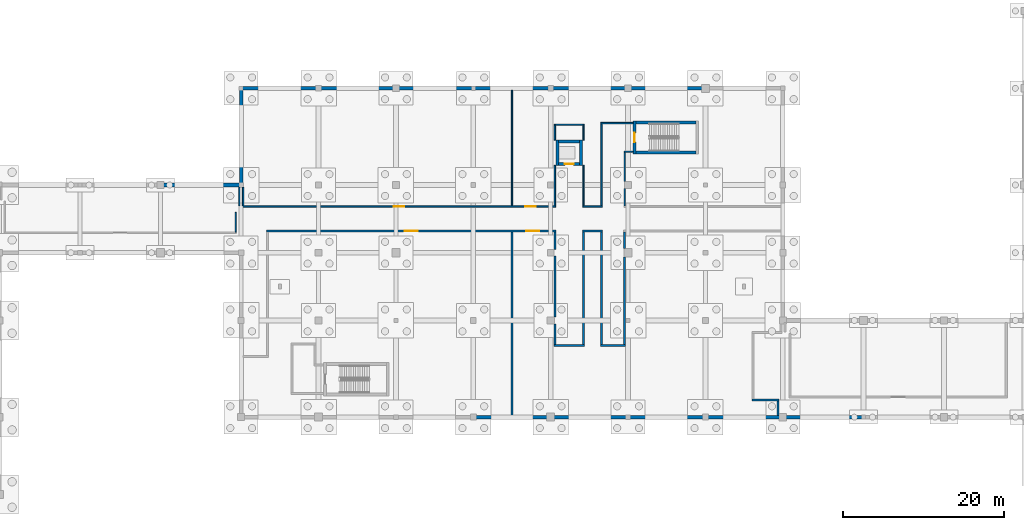
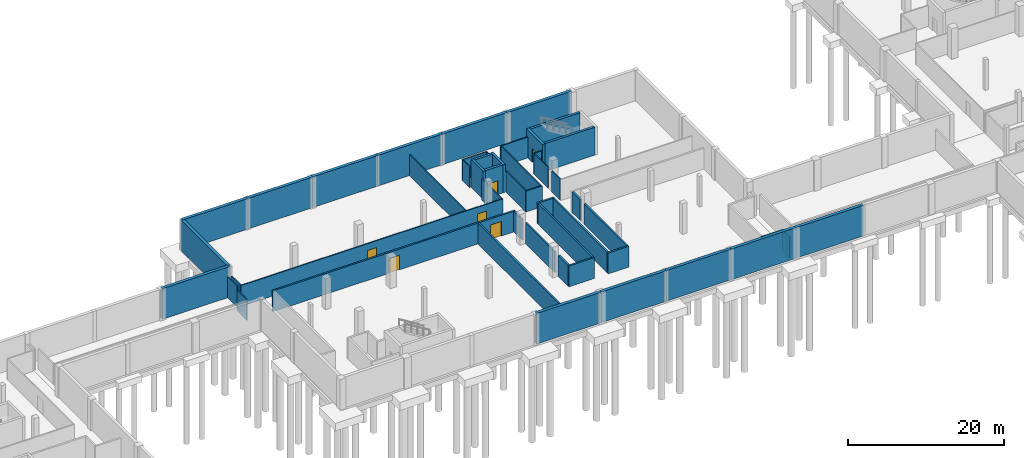
# One storey, part 14 of 28: 50 walls, 6 doors, 6 openings.
"""IFC4 building model written with IfcOpenShell, lengths in metres."""

from ifc_helpers import new_model, si_unit, direction, frame, frame_2d, origin, place, context, subcontext, project, spatial, rectangle, extrude, material, layer, layer_set, type_object, element, fill, save


model = new_model("IFC4")

# Units and contexts
model_context = context("Model", 3, precision=1e-05, world=origin(), true_north=direction((0.0, 1.0)))
body_context = subcontext(model_context, "Body", "Model", "MODEL_VIEW")
ifc_project = project(units=[si_unit("LENGTHUNIT", "METRE"), si_unit("AREAUNIT", "SQUARE_METRE"), si_unit("VOLUMEUNIT", "CUBIC_METRE"), si_unit("PLANEANGLEUNIT", "RADIAN"), si_unit("MASSUNIT", "GRAM", prefix="KILO")], contexts=[model_context])

# Site, building, storey
site_placement = place(None, origin())
site = spatial("IfcSite", under=ifc_project, at=site_placement, CompositionType="ELEMENT")
building_placement = place(site_placement, origin())
building = spatial("IfcBuilding", under=site, at=building_placement, Name="Zereglee Splitstone Museum", CompositionType="ELEMENT")
storey_placement = place(building_placement, frame((0.0, 0.0, -4.800048828125)))
storey = spatial("IfcBuildingStorey", under=building, at=storey_placement, Name="B1", CompositionType="ELEMENT", Elevation=-4.800048828125)

# Walls
ifc_material_1 = material(Name="Concrete C40/50", Category="concrete")
ifc_layer_1 = layer(ifc_material_1, 0.449951171875)
ifc_layer_set_1 = layer_set([ifc_layer_1], Name="Concrete C40/50")
wall_type_1 = type_object("IfcWallType", Name="ESW-01", PredefinedType="SHEAR", material=ifc_layer_set_1)
for number, where, z_axis, x_axis, name in (
    (1, (135.60009765625, 50.39990234375, 0.0), (0.0, 0.0, 1.0), (-1.0, 0.0, 0.0), "Basement Perimeter Retaining Wall B1-066"),
    (2, (126.0, 50.39990234375, 0.0), (0.0, 0.0, 1.0), (-1.0, 0.0, 0.0), "Basement Perimeter Retaining Wall B1-067"),
):
    element("IfcWall", number, at=place(storey_placement, frame(where, z_axis=z_axis, x_axis=x_axis)), inside=storey, type_object=wall_type_1, Name=name, PredefinedType="SHEAR", context=body_context, shape_type="SweptSolid", body=[
        extrude(rectangle(XDim=9.60009765625, YDim=0.449951171875, at=frame_2d((4.800048828125, 0.0))), origin(), (0.0, 0.0, 1.0), 4.800048828125),
    ])
wall_1_placement = place(storey_placement, frame((116.39990234375, 50.39990234375, 0.0), z_axis=(0.0, 0.0, 1.0), x_axis=(-1.0, 0.0, 0.0)))
element("IfcWall", 3, at=wall_1_placement, inside=storey, type_object=wall_type_1, Name="Basement Perimeter Retaining Wall B1-068", PredefinedType="SHEAR", context=body_context, shape_type="SweptSolid", body=[
    extrude(rectangle(XDim=9.599853515625, YDim=0.449951171875, at=frame_2d((4.7998046875, 0.0))), origin(), (0.0, 0.0, 1.0), 4.800048828125),
])
wall_2_placement = place(storey_placement, frame((106.800048828125, 50.39990234375, 0.0), z_axis=(0.0, 0.0, 1.0), x_axis=(-1.0, 0.0, 0.0)))
element("IfcWall", 4, at=wall_2_placement, inside=storey, type_object=wall_type_1, Name="Basement Perimeter Retaining Wall B1-069", PredefinedType="SHEAR", context=body_context, shape_type="SweptSolid", body=[
    extrude(rectangle(XDim=9.60009765625, YDim=0.449951171875, at=frame_2d((4.800048828125, 0.0))), origin(), (0.0, 0.0, 1.0), 4.800048828125),
])
wall_3_placement = place(storey_placement, frame((97.199951171875, 50.39990234375, 0.0), z_axis=(0.0, 0.0, 1.0), x_axis=(-1.0, 0.0, 0.0)))
element("IfcWall", 5, at=wall_3_placement, inside=storey, type_object=wall_type_1, Name="Basement Perimeter Retaining Wall B1-070", PredefinedType="SHEAR", context=body_context, shape_type="SweptSolid", body=[
    extrude(rectangle(XDim=9.599853515625, YDim=0.449951171875, at=frame_2d((4.7998046875, 0.0))), origin(), (0.0, 0.0, 1.0), 4.800048828125),
])
wall_4_placement = place(storey_placement, frame((87.60009765625, 50.39990234375, 0.0), z_axis=(0.0, 0.0, 1.0), x_axis=(-1.0, 0.0, 0.0)))
element("IfcWall", 6, at=wall_4_placement, inside=storey, type_object=wall_type_1, Name="Basement Perimeter Retaining Wall B1-071", PredefinedType="SHEAR", context=body_context, shape_type="SweptSolid", body=[
    extrude(rectangle(XDim=9.60009765625, YDim=0.449951171875, at=frame_2d((4.800048828125, 0.0))), origin(), (0.0, 0.0, 1.0), 4.800048828125),
])
wall_5_placement = place(storey_placement, frame((78.0, 50.39990234375, 0.0), z_axis=(0.0, 0.0, 1.0), x_axis=(0.0, -1.0, 0.0)))
element("IfcWall", 7, at=wall_5_placement, inside=storey, type_object=wall_type_1, Name="Basement Perimeter Retaining Wall B1-072", PredefinedType="SHEAR", context=body_context, shape_type="SweptSolid", body=[
    extrude(rectangle(XDim=12.0, YDim=0.449951171875, at=frame_2d((6.0, 0.0))), origin(), (0.0, 0.0, 1.0), 4.800048828125),
])
wall_6_placement = place(storey_placement, frame((78.0, 38.39990234375, 0.0), z_axis=(0.0, 0.0, 1.0), x_axis=(-1.0, 0.0, 0.0)))
element("IfcWall", 8, at=wall_6_placement, inside=storey, type_object=wall_type_1, Name="Basement Perimeter Retaining Wall B1-073", PredefinedType="SHEAR", context=body_context, shape_type="SweptSolid", body=[
    extrude(rectangle(XDim=10.0, YDim=0.449951171875, at=frame_2d((5.0, 0.0))), origin(), (0.0, 0.0, 1.0), 4.800048828125),
])
wall_7_placement = place(storey_placement, frame((106.800048828125, 9.60009765625, 0.0), z_axis=(0.0, 0.0, 1.0), x_axis=(1.0, 0.0, 0.0)))
element("IfcWall", 9, at=wall_7_placement, inside=storey, type_object=wall_type_1, Name="Basement Perimeter Retaining Wall B1-101", PredefinedType="SHEAR", context=body_context, shape_type="SweptSolid", body=[
    extrude(rectangle(XDim=9.599853515625, YDim=0.449951171875, at=frame_2d((4.7998046875, 0.0))), origin(), (0.0, 0.0, 1.0), 4.800048828125),
])
for number, where, z_axis, x_axis, name in (
    (10, (116.39990234375, 9.60009765625, 0.0), (0.0, 0.0, 1.0), (1.0, 0.0, 0.0), "Basement Perimeter Retaining Wall B1-102"),
    (11, (126.0, 9.60009765625, 0.0), (0.0, 0.0, 1.0), (1.0, 0.0, 0.0), "Basement Perimeter Retaining Wall B1-103"),
):
    element("IfcWall", number, at=place(storey_placement, frame(where, z_axis=z_axis, x_axis=x_axis)), inside=storey, type_object=wall_type_1, Name=name, PredefinedType="SHEAR", context=body_context, shape_type="SweptSolid", body=[
        extrude(rectangle(XDim=9.60009765625, YDim=0.449951171875, at=frame_2d((4.800048828125, 0.0))), origin(), (0.0, 0.0, 1.0), 4.800048828125),
    ])
wall_8_placement = place(storey_placement, frame((135.60009765625, 9.60009765625, 0.0), z_axis=(0.0, 0.0, 1.0), x_axis=(1.0, 0.0, 0.0)))
element("IfcWall", 12, at=wall_8_placement, inside=storey, type_object=wall_type_1, Name="Basement Perimeter Retaining Wall B1-104", PredefinedType="SHEAR", context=body_context, shape_type="SweptSolid", body=[
    extrude(rectangle(XDim=9.599853515625, YDim=0.449951171875, at=frame_2d((4.7998046875, 0.0))), origin(), (0.0, 0.0, 1.0), 4.800048828125),
])
wall_9_placement = place(storey_placement, frame((145.199951171875, 9.60009765625, 0.0), z_axis=(0.0, 0.0, 1.0), x_axis=(1.0, 0.0, 0.0)))
element("IfcWall", 13, at=wall_9_placement, inside=storey, type_object=wall_type_1, Name="Basement Perimeter Retaining Wall B1-105", PredefinedType="SHEAR", context=body_context, shape_type="SweptSolid", body=[
    extrude(rectangle(XDim=10.0, YDim=0.449951171875, at=frame_2d((5.0, 0.0))), origin(), (0.0, 0.0, 1.0), 4.800048828125),
])

# Wall, opening, door
ifc_material_2 = material(Name="Concrete C45/55", Category="concrete")
ifc_layer_2 = layer(ifc_material_2, 0.360107421875)
ifc_layer_set_2 = layer_set([ifc_layer_2], Name="Concrete C45/55")
wall_type_2 = type_object("IfcWallType", Name="CSW-02", PredefinedType="SHEAR", material=ifc_layer_set_2)
wall_10_placement = place(storey_placement, frame((126.820068359375, 42.239990234375, 0.0), z_axis=(0.0, 0.0, 1.0), x_axis=(0.0, 1.0, 0.0)))
wall_10 = element("IfcWall", 14, at=wall_10_placement, inside=storey, type_object=wall_type_2, Name="Stair Core Shear Wall ST-03 B1 West", PredefinedType="SHEAR", context=body_context, shape_type="SweptSolid", body=[
    extrude(rectangle(XDim=4.1201171875, YDim=0.360107421875, at=frame_2d((2.06005859375, 0.0))), origin(), (0.0, 0.0, 1.0), 4.380126953125),
])
opening_1_placement = place(wall_10_placement, frame((1.485107421875, 0.0, 0.0)))
opening_1 = element("IfcOpeningElement", 15, at=opening_1_placement, cuts=wall_10, Name="Opening ID-03", PredefinedType="OPENING", context=body_context, shape_type="SweptSolid", body=[
    extrude(rectangle(XDim=1.14990234375, YDim=2.14990234375, at=frame_2d((0.574951171875, 1.074951171875))), frame((0.0, 0.19482421875, 0.0), z_axis=(0.0, -1.0, 0.0), x_axis=(1.0, 0.0, 0.0)), (0.0, 0.0, 1.0), 0.389892578125),
])
ifc_material_3 = material(Name="Fire-rated steel and Siberian larch leaf", Category="steel")
door_type_1 = type_object("IfcDoorType", Name="ID-03", OperationType="NOTDEFINED", PredefinedType="DOOR", material=ifc_material_3)
door_1_placement = place(opening_1_placement, origin())
door_1 = element("IfcDoor", 16, at=door_1_placement, inside=storey, type_object=door_type_1, Name="Protected Stair Fire Door ST-03 B1", OperationType="SINGLE_SWING_LEFT", OverallHeight=2.14990234375, OverallWidth=1.14990234375, PredefinedType="DOOR", context=body_context, shape_type="SweptSolid", body=[
    extrude(rectangle(XDim=1.14990234375, YDim=2.14990234375, at=frame_2d((0.574951171875, 1.074951171875))), frame((0.0, 0.02490234375, 0.0), z_axis=(0.0, -1.0, 0.0), x_axis=(1.0, 0.0, 0.0)), (0.0, 0.0, 1.0), 0.050048828125),
])
fill(opening_1, door_1)

# Walls
for number, where, z_axis, x_axis, name in (
    (17, (127.0, 46.179931640625, 0.0), (0.0, 0.0, 1.0), (1.0, 0.0, 0.0), "Stair Core Shear Wall ST-03 B1 North"),
    (18, (127.0, 42.419921875, 0.0), (0.0, 0.0, 1.0), (1.0, 0.0, 0.0), "Stair Core Shear Wall ST-03 B1 South"),
):
    element("IfcWall", number, at=place(storey_placement, frame(where, z_axis=z_axis, x_axis=x_axis)), inside=storey, type_object=wall_type_2, Name=name, PredefinedType="SHEAR", context=body_context, shape_type="SweptSolid", body=[
        extrude(rectangle(XDim=7.39990234375, YDim=0.360107421875, at=frame_2d((3.699951171875, 0.0))), origin(), (0.0, 0.0, 1.0), 4.380126953125),
    ])
wall_11_placement = place(storey_placement, frame((117.39990234375, 43.780029296875, 0.0), z_axis=(0.0, 0.0, 1.0), x_axis=(1.0, 0.0, 0.0)))
element("IfcWall", 19, at=wall_11_placement, inside=storey, type_object=wall_type_2, Name="Lift Shaft Wall PL-02 B1 North", PredefinedType="SHEAR", context=body_context, shape_type="SweptSolid", body=[
    extrude(rectangle(XDim=2.60009765625, YDim=0.360107421875, at=frame_2d((1.300048828125, 0.0))), origin(), (0.0, 0.0, 1.0), 4.380126953125),
])

# Wall, opening, door
wall_12_placement = place(storey_placement, frame((117.39990234375, 41.02001953125, 0.0), z_axis=(0.0, 0.0, 1.0), x_axis=(1.0, 0.0, 0.0)))
wall_12 = element("IfcWall", 20, at=wall_12_placement, inside=storey, type_object=wall_type_2, Name="Lift Shaft Wall PL-02 B1 South", PredefinedType="SHEAR", context=body_context, shape_type="SweptSolid", body=[
    extrude(rectangle(XDim=2.60009765625, YDim=0.360107421875, at=frame_2d((1.300048828125, 0.0))), origin(), (0.0, 0.0, 1.0), 4.380126953125),
])
opening_2_placement = place(wall_12_placement, frame((0.75, 0.0, 0.0)))
opening_2 = element("IfcOpeningElement", 21, at=opening_2_placement, cuts=wall_12, Name="Opening LD-01", PredefinedType="OPENING", context=body_context, shape_type="SweptSolid", body=[
    extrude(rectangle(XDim=1.10009765625, YDim=2.14990234375, at=frame_2d((0.550048828125, 1.074951171875))), frame((0.0, 0.19482421875, 0.0), z_axis=(0.0, -1.0, 0.0), x_axis=(1.0, 0.0, 0.0)), (0.0, 0.0, 1.0), 0.389892578125),
])
door_type_2 = type_object("IfcDoorType", Name="LD-01", OperationType="DOUBLE_DOOR_SLIDING", PredefinedType="DOOR", material=ifc_material_3)
door_2_placement = place(opening_2_placement, origin())
door_2 = element("IfcDoor", 22, at=door_2_placement, inside=storey, type_object=door_type_2, Name="Lift Landing Sliding Door PL-02 B1", OperationType="DOUBLE_DOOR_SLIDING", OverallHeight=2.14990234375, OverallWidth=1.10009765625, PredefinedType="DOOR", context=body_context, shape_type="SweptSolid", body=[
    extrude(rectangle(XDim=1.10009765625, YDim=2.14990234375, at=frame_2d((0.550048828125, 1.074951171875))), frame((0.0, 0.02490234375, 0.0), z_axis=(0.0, -1.0, 0.0), x_axis=(1.0, 0.0, 0.0)), (0.0, 0.0, 1.0), 0.050048828125),
])
fill(opening_2, door_2)

# Walls
for number, where, z_axis, x_axis, name in (
    (23, (117.219970703125, 40.840087890625, 0.0), (0.0, 0.0, 1.0), (0.0, 1.0, 0.0), "Lift Shaft Wall PL-02 B1 West"),
    (24, (120.179931640625, 40.840087890625, 0.0), (0.0, 0.0, 1.0), (0.0, 1.0, 0.0), "Lift Shaft Wall PL-02 B1 East"),
):
    element("IfcWall", number, at=place(storey_placement, frame(where, z_axis=z_axis, x_axis=x_axis)), inside=storey, type_object=wall_type_2, Name=name, PredefinedType="SHEAR", context=body_context, shape_type="SweptSolid", body=[
        extrude(rectangle(XDim=3.119873046875, YDim=0.360107421875, at=frame_2d((1.56005859375, 0.0))), origin(), (0.0, 0.0, 1.0), 4.380126953125),
    ])
ifc_layer_3 = layer(ifc_material_1, 0.25)
ifc_layer_set_3 = layer_set([ifc_layer_3], Name="Concrete C40/50")
wall_type_3 = type_object("IfcWallType", Name="IW-03", PredefinedType="PARTITIONING", material=ifc_layer_set_3)
wall_13_placement = place(storey_placement, frame((141.39501953125, 11.719970703125, 0.0), z_axis=(0.0, 0.0, 1.0), x_axis=(1.0, 0.0, 0.0)))
element("IfcWall", 25, at=wall_13_placement, inside=storey, type_object=wall_type_3, Name="Interior Partition B1-0008 (Microclimate Specimen Vault)", PredefinedType="PARTITIONING", context=body_context, shape_type="SweptSolid", body=[
    extrude(rectangle(XDim=3.35009765625, YDim=0.25, at=frame_2d((1.675048828125, 0.0))), origin(), (0.0, 0.0, 1.0), 3.260009765625),
])
wall_14_placement = place(storey_placement, frame((116.794921875, 18.52001953125, 0.0), z_axis=(0.0, 0.0, 1.0), x_axis=(1.0, 0.0, 0.0)))
element("IfcWall", 26, at=wall_14_placement, inside=storey, type_object=wall_type_3, Name="Interior Partition B1-0027 (Microclimate Specimen Vault)", PredefinedType="PARTITIONING", context=body_context, shape_type="SweptSolid", body=[
    extrude(rectangle(XDim=3.81005859375, YDim=0.25, at=frame_2d((1.905029296875, 0.0))), origin(), (0.0, 0.0, 1.0), 3.260009765625),
])
wall_15_placement = place(storey_placement, frame((122.594970703125, 18.52001953125, 0.0), z_axis=(0.0, 0.0, 1.0), x_axis=(1.0, 0.0, 0.0)))
element("IfcWall", 27, at=wall_15_placement, inside=storey, type_object=wall_type_3, Name="Interior Partition B1-0028 (Microclimate Specimen Vault)", PredefinedType="PARTITIONING", context=body_context, shape_type="SweptSolid", body=[
    extrude(rectangle(XDim=3.110107421875, YDim=0.25, at=frame_2d((1.55517578125, 0.0))), origin(), (0.0, 0.0, 1.0), 3.260009765625),
])

# Wall, openings, doors
wall_16_placement = place(storey_placement, frame((81.155029296875, 32.679931640625, 0.0), z_axis=(0.0, 0.0, 1.0), x_axis=(1.0, 0.0, 0.0)))
wall_16 = element("IfcWall", 28, at=wall_16_placement, inside=storey, type_object=wall_type_3, Name="Interior Partition B1-0049 (Mineralogy Collection Archive)", PredefinedType="PARTITIONING", context=body_context, shape_type="SweptSolid", body=[
    extrude(rectangle(XDim=35.889892578125, YDim=0.25, at=frame_2d((17.94482421875, 0.0))), origin(), (0.0, 0.0, 1.0), 3.260009765625),
])
opening_3_placement = place(wall_16_placement, frame((17.14501953125, 0.0, 0.0)))
opening_3 = element("IfcOpeningElement", 29, at=opening_3_placement, cuts=wall_16, Name="Opening ID-05", PredefinedType="OPENING", context=body_context, shape_type="SweptSolid", body=[
    extrude(rectangle(XDim=1.60009765625, YDim=2.300048828125, at=frame_2d((0.800048828125, 1.14990234375))), frame((0.0, 0.139892578125, 0.0), z_axis=(0.0, -1.0, 0.0), x_axis=(1.0, 0.0, 0.0)), (0.0, 0.0, 1.0), 0.27978515625),
])
opening_4_placement = place(wall_16_placement, frame((32.21875, 0.0, 0.0)))
opening_4 = element("IfcOpeningElement", 30, at=opening_4_placement, cuts=wall_16, Name="Opening ID-05", PredefinedType="OPENING", context=body_context, shape_type="SweptSolid", body=[
    extrude(rectangle(XDim=1.60009765625, YDim=2.300048828125, at=frame_2d((0.800048828125, 1.14990234375))), frame((0.0, 0.139892578125, 0.0), z_axis=(0.0, -1.0, 0.0), x_axis=(1.0, 0.0, 0.0)), (0.0, 0.0, 1.0), 0.27978515625),
])
door_type_3 = type_object("IfcDoorType", Name="ID-05", OperationType="NOTDEFINED", PredefinedType="DOOR", material=ifc_material_3)
door_3_placement = place(opening_3_placement, frame((1.60009765625, 0.0, 0.0), z_axis=(0.0, 0.0, 1.0), x_axis=(-1.0, 0.0, 0.0)))
door_3 = element("IfcDoor", 31, at=door_3_placement, inside=storey, type_object=door_type_3, Name="Interior Door B1-0007 (Mineralogy Collection Archive)", OperationType="DOUBLE_DOOR_SINGLE_SWING", OverallHeight=2.300048828125, OverallWidth=1.60009765625, PredefinedType="DOOR", context=body_context, shape_type="SweptSolid", body=[
    extrude(rectangle(XDim=1.60009765625, YDim=2.300048828125, at=frame_2d((0.800048828125, 1.14990234375))), frame((0.0, 0.02490234375, 0.0), z_axis=(0.0, -1.0, 0.0), x_axis=(1.0, 0.0, 0.0)), (0.0, 0.0, 1.0), 0.050048828125),
])
fill(opening_3, door_3)
door_4_placement = place(opening_4_placement, frame((1.60009765625, 0.0, 0.0), z_axis=(0.0, 0.0, 1.0), x_axis=(-1.0, 0.0, 0.0)))
door_4 = element("IfcDoor", 32, at=door_4_placement, inside=storey, type_object=door_type_3, Name="Interior Door B1-0008 (Microclimate Specimen Vault)", OperationType="DOUBLE_DOOR_SINGLE_SWING", OverallHeight=2.300048828125, OverallWidth=1.60009765625, PredefinedType="DOOR", context=body_context, shape_type="SweptSolid", body=[
    extrude(rectangle(XDim=1.60009765625, YDim=2.300048828125, at=frame_2d((0.800048828125, 1.14990234375))), frame((0.0, 0.02490234375, 0.0), z_axis=(0.0, -1.0, 0.0), x_axis=(1.0, 0.0, 0.0)), (0.0, 0.0, 1.0), 0.050048828125),
])
fill(opening_4, door_4)

# Walls
wall_17_placement = place(storey_placement, frame((120.35498046875, 32.679931640625, 0.0), z_axis=(0.0, 0.0, 1.0), x_axis=(1.0, 0.0, 0.0)))
element("IfcWall", 33, at=wall_17_placement, inside=storey, type_object=wall_type_3, Name="Interior Partition B1-0050 (Microclimate Specimen Vault)", PredefinedType="PARTITIONING", context=body_context, shape_type="SweptSolid", body=[
    extrude(rectangle(XDim=2.489990234375, YDim=0.25, at=frame_2d((1.2451171875, 0.0))), origin(), (0.0, 0.0, 1.0), 3.260009765625),
])
wall_18_placement = place(storey_placement, frame((111.60009765625, 9.824951171875, 0.0), z_axis=(0.0, 0.0, 1.0), x_axis=(0.0, 1.0, 0.0)))
element("IfcWall", 34, at=wall_18_placement, inside=storey, type_object=wall_type_3, Name="Interior Partition B1-0096 (Mineralogy Collection Archive)", PredefinedType="PARTITIONING", context=body_context, shape_type="SweptSolid", body=[
    extrude(rectangle(XDim=22.72998046875, YDim=0.25, at=frame_2d((11.364990234375, 0.0))), origin(), (0.0, 0.0, 1.0), 3.260009765625),
])
wall_19_placement = place(storey_placement, frame((116.919921875, 18.64501953125, 0.0), z_axis=(0.0, 0.0, 1.0), x_axis=(0.0, 1.0, 0.0)))
element("IfcWall", 35, at=wall_19_placement, inside=storey, type_object=wall_type_3, Name="Interior Partition B1-0098 (Microclimate Specimen Vault)", PredefinedType="PARTITIONING", context=body_context, shape_type="SweptSolid", body=[
    extrude(rectangle(XDim=2.5048828125, YDim=0.25, at=frame_2d((1.25244140625, 0.0))), origin(), (0.0, 0.0, 1.0), 3.260009765625),
])
wall_20_placement = place(storey_placement, frame((116.919921875, 22.050048828125, 0.0), z_axis=(0.0, 0.0, 1.0), x_axis=(0.0, 1.0, 0.0)))
element("IfcWall", 36, at=wall_20_placement, inside=storey, type_object=wall_type_3, Name="Interior Partition B1-0099 (Microclimate Specimen Vault)", PredefinedType="PARTITIONING", context=body_context, shape_type="SweptSolid", body=[
    extrude(rectangle(XDim=7.52490234375, YDim=0.25, at=frame_2d((3.762451171875, 0.0))), origin(), (0.0, 0.0, 1.0), 3.260009765625),
])
wall_21_placement = place(storey_placement, frame((116.919921875, 30.425048828125, 0.0), z_axis=(0.0, 0.0, 1.0), x_axis=(0.0, 1.0, 0.0)))
element("IfcWall", 37, at=wall_21_placement, inside=storey, type_object=wall_type_3, Name="Interior Partition B1-0100 (Microclimate Specimen Vault)", PredefinedType="PARTITIONING", context=body_context, shape_type="SweptSolid", body=[
    extrude(rectangle(XDim=2.1298828125, YDim=0.25, at=frame_2d((1.06494140625, 0.0))), origin(), (0.0, 0.0, 1.0), 3.260009765625),
])
for number, where, z_axis, x_axis, name in (
    (38, (120.47998046875, 18.64501953125, 0.0), (0.0, 0.0, 1.0), (0.0, 1.0, 0.0), "Interior Partition B1-0103 (Microclimate Specimen Vault)"),
    (39, (122.719970703125, 18.64501953125, 0.0), (0.0, 0.0, 1.0), (0.0, 1.0, 0.0), "Interior Partition B1-0106 (Microclimate Specimen Vault)"),
):
    element("IfcWall", number, at=place(storey_placement, frame(where, z_axis=z_axis, x_axis=x_axis)), inside=storey, type_object=wall_type_3, Name=name, PredefinedType="PARTITIONING", context=body_context, shape_type="SweptSolid", body=[
        extrude(rectangle(XDim=13.909912109375, YDim=0.25, at=frame_2d((6.955078125, 0.0))), origin(), (0.0, 0.0, 1.0), 3.260009765625),
    ])
wall_22_placement = place(storey_placement, frame((125.580078125, 18.64501953125, 0.0), z_axis=(0.0, 0.0, 1.0), x_axis=(0.0, 1.0, 0.0)))
element("IfcWall", 40, at=wall_22_placement, inside=storey, type_object=wall_type_3, Name="Interior Partition B1-0108 (Microclimate Specimen Vault)", PredefinedType="PARTITIONING", context=body_context, shape_type="SweptSolid", body=[
    extrude(rectangle(XDim=10.85498046875, YDim=0.25, at=frame_2d((5.427490234375, 0.0))), origin(), (0.0, 0.0, 1.0), 3.260009765625),
])
wall_23_placement = place(storey_placement, frame((125.580078125, 30.5, 0.0), z_axis=(0.0, 0.0, 1.0), x_axis=(0.0, 1.0, 0.0)))
element("IfcWall", 41, at=wall_23_placement, inside=storey, type_object=wall_type_3, Name="Interior Partition B1-0109 (Microclimate Specimen Vault)", PredefinedType="PARTITIONING", context=body_context, shape_type="SweptSolid", body=[
    extrude(rectangle(XDim=2.054931640625, YDim=0.25, at=frame_2d((1.02734375, 0.0))), origin(), (0.0, 0.0, 1.0), 3.260009765625),
])
wall_24_placement = place(storey_placement, frame((144.6201171875, 9.824951171875, 0.0), z_axis=(0.0, 0.0, 1.0), x_axis=(0.0, 1.0, 0.0)))
element("IfcWall", 42, at=wall_24_placement, inside=storey, type_object=wall_type_3, Name="Interior Partition B1-0113 (Microclimate Specimen Vault)", PredefinedType="PARTITIONING", context=body_context, shape_type="SweptSolid", body=[
    extrude(rectangle(XDim=1.77001953125, YDim=0.25, at=frame_2d((0.885009765625, 0.0))), origin(), (0.0, 0.0, 1.0), 3.260009765625),
])

# Wall, openings, doors
ifc_material_4 = material(Name="Fire-rated gypsum board partition", Category="masonry")
ifc_layer_4 = layer(ifc_material_4, 0.159912109375)
ifc_layer_set_4 = layer_set([ifc_layer_4], Name="Fire-rated gypsum board partition")
wall_type_4 = type_object("IfcWallType", Name="IW-04", PredefinedType="PARTITIONING", material=ifc_layer_set_4)
wall_25_placement = place(storey_placement, frame((78.159912109375, 35.719970703125, 0.0), z_axis=(0.0, 0.0, 1.0), x_axis=(1.0, 0.0, 0.0)))
wall_25 = element("IfcWall", 43, at=wall_25_placement, inside=storey, type_object=wall_type_4, Name="Interior Partition B1-0055 (Mechanical Environmental Plant Room)", PredefinedType="PARTITIONING", context=body_context, shape_type="SweptSolid", body=[
    extrude(rectangle(XDim=38.840087890625, YDim=0.159912109375, at=frame_2d((19.419921875, 0.0))), origin(), (0.0, 0.0, 1.0), 3.260009765625),
])
opening_5_placement = place(wall_25_placement, frame((18.7451171875, 0.0, 0.0)))
opening_5 = element("IfcOpeningElement", 44, at=opening_5_placement, cuts=wall_25, Name="Opening ID-08", PredefinedType="OPENING", context=body_context, shape_type="SweptSolid", body=[
    extrude(rectangle(XDim=1.35009765625, YDim=2.199951171875, at=frame_2d((0.675048828125, 1.10009765625))), frame((0.0, 0.0947265625, 0.0), z_axis=(0.0, -1.0, 0.0), x_axis=(1.0, 0.0, 0.0)), (0.0, 0.0, 1.0), 0.189697265625),
])
opening_6_placement = place(wall_25_placement, frame((35.057861328125, 0.0, 0.0)))
opening_6 = element("IfcOpeningElement", 45, at=opening_6_placement, cuts=wall_25, Name="Opening ID-08", PredefinedType="OPENING", context=body_context, shape_type="SweptSolid", body=[
    extrude(rectangle(XDim=1.35009765625, YDim=2.199951171875, at=frame_2d((0.675048828125, 1.10009765625))), frame((0.0, 0.0947265625, 0.0), z_axis=(0.0, -1.0, 0.0), x_axis=(1.0, 0.0, 0.0)), (0.0, 0.0, 1.0), 0.189697265625),
])
door_type_4 = type_object("IfcDoorType", Name="ID-08", OperationType="NOTDEFINED", PredefinedType="DOOR", material=ifc_material_3)
door_5_placement = place(opening_5_placement, origin())
door_5 = element("IfcDoor", 46, at=door_5_placement, inside=storey, type_object=door_type_4, Name="Interior Door B1-0009 (Mechanical Environmental Plant Room)", OperationType="SINGLE_SWING_RIGHT", OverallHeight=2.199951171875, OverallWidth=1.35009765625, PredefinedType="DOOR", context=body_context, shape_type="SweptSolid", body=[
    extrude(rectangle(XDim=1.35009765625, YDim=2.199951171875, at=frame_2d((0.675048828125, 1.10009765625))), frame((0.0, 0.02490234375, 0.0), z_axis=(0.0, -1.0, 0.0), x_axis=(1.0, 0.0, 0.0)), (0.0, 0.0, 1.0), 0.050048828125),
])
fill(opening_5, door_5)
door_6_placement = place(opening_6_placement, origin())
door_6 = element("IfcDoor", 47, at=door_6_placement, inside=storey, type_object=door_type_4, Name="Interior Door B1-0010 (District Heating Substation Plant Room)", OperationType="SINGLE_SWING_LEFT", OverallHeight=2.199951171875, OverallWidth=1.35009765625, PredefinedType="DOOR", context=body_context, shape_type="SweptSolid", body=[
    extrude(rectangle(XDim=1.35009765625, YDim=2.199951171875, at=frame_2d((0.675048828125, 1.10009765625))), frame((0.0, 0.02490234375, 0.0), z_axis=(0.0, -1.0, 0.0), x_axis=(1.0, 0.0, 0.0)), (0.0, 0.0, 1.0), 0.050048828125),
])
fill(opening_6, door_6)

# Walls
wall_26_placement = place(storey_placement, frame((120.39990234375, 35.719970703125, 0.0), z_axis=(0.0, 0.0, 1.0), x_axis=(1.0, 0.0, 0.0)))
element("IfcWall", 48, at=wall_26_placement, inside=storey, type_object=wall_type_4, Name="Interior Partition B1-0056 (District Heating Substation Plant Room)", PredefinedType="PARTITIONING", context=body_context, shape_type="SweptSolid", body=[
    extrude(rectangle(XDim=2.400146484375, YDim=0.159912109375, at=frame_2d((1.2001953125, 0.0))), origin(), (0.0, 0.0, 1.0), 3.260009765625),
])
wall_27_placement = place(storey_placement, frame((125.5, 42.52001953125, 0.0), z_axis=(0.0, 0.0, 1.0), x_axis=(1.0, 0.0, 0.0)))
element("IfcWall", 49, at=wall_27_placement, inside=storey, type_object=wall_type_4, Name="Interior Partition B1-0063 (District Heating Substation Plant Room)", PredefinedType="PARTITIONING", context=body_context, shape_type="SweptSolid", body=[
    extrude(rectangle(XDim=1.139892578125, YDim=0.159912109375, at=frame_2d((0.56982421875, 0.0))), origin(), (0.0, 0.0, 1.0), 3.260009765625),
])
wall_28_placement = place(storey_placement, frame((116.840087890625, 45.8798828125, 0.0), z_axis=(0.0, 0.0, 1.0), x_axis=(1.0, 0.0, 0.0)))
element("IfcWall", 50, at=wall_28_placement, inside=storey, type_object=wall_type_4, Name="Interior Partition B1-0066 (District Heating Substation Plant Room)", PredefinedType="PARTITIONING", context=body_context, shape_type="SweptSolid", body=[
    extrude(rectangle(XDim=3.719970703125, YDim=0.159912109375, at=frame_2d((1.85986328125, 0.0))), origin(), (0.0, 0.0, 1.0), 3.260009765625),
])
wall_29_placement = place(storey_placement, frame((122.639892578125, 46.080078125, 0.0), z_axis=(0.0, 0.0, 1.0), x_axis=(1.0, 0.0, 0.0)))
element("IfcWall", 51, at=wall_29_placement, inside=storey, type_object=wall_type_4, Name="Interior Partition B1-0068 (District Heating Substation Plant Room)", PredefinedType="PARTITIONING", context=body_context, shape_type="SweptSolid", body=[
    extrude(rectangle(XDim=4.0, YDim=0.159912109375, at=frame_2d((2.0, 0.0))), origin(), (0.0, 0.0, 1.0), 3.260009765625),
])
wall_30_placement = place(storey_placement, frame((77.320068359375, 32.56005859375, 0.0), z_axis=(0.0, 0.0, 1.0), x_axis=(0.0, 1.0, 0.0)))
element("IfcWall", 52, at=wall_30_placement, inside=storey, type_object=wall_type_4, Name="Interior Partition B1-0090 (Conservation Preparation Studio)", PredefinedType="PARTITIONING", context=body_context, shape_type="SweptSolid", body=[
    extrude(rectangle(XDim=2.43994140625, YDim=0.159912109375, at=frame_2d((1.219970703125, 0.0))), origin(), (0.0, 0.0, 1.0), 3.260009765625),
])
wall_31_placement = place(storey_placement, frame((77.760009765625, 35.81005859375, 0.0), z_axis=(0.0, 0.0, 1.0), x_axis=(0.0, 1.0, 0.0)))
element("IfcWall", 53, at=wall_31_placement, inside=storey, type_object=wall_type_4, Name="Interior Partition B1-0091 (Conservation Preparation Studio)", PredefinedType="PARTITIONING", context=body_context, shape_type="SweptSolid", body=[
    extrude(rectangle(XDim=2.364990234375, YDim=0.159912109375, at=frame_2d((1.1826171875, 0.0))), origin(), (0.0, 0.0, 1.0), 3.260009765625),
])
wall_32_placement = place(storey_placement, frame((78.239990234375, 35.800048828125, 0.0), z_axis=(0.0, 0.0, 1.0), x_axis=(0.0, 1.0, 0.0)))
element("IfcWall", 54, at=wall_32_placement, inside=storey, type_object=wall_type_4, Name="Interior Partition B1-0092 (Mechanical Environmental Plant Room)", PredefinedType="PARTITIONING", context=body_context, shape_type="SweptSolid", body=[
    extrude(rectangle(XDim=2.300048828125, YDim=0.159912109375, at=frame_2d((1.14990234375, 0.0))), origin(), (0.0, 0.0, 1.0), 3.260009765625),
])
wall_33_placement = place(storey_placement, frame((111.60009765625, 35.800048828125, 0.0), z_axis=(0.0, 0.0, 1.0), x_axis=(0.0, 1.0, 0.0)))
element("IfcWall", 55, at=wall_33_placement, inside=storey, type_object=wall_type_4, Name="Interior Partition B1-0097 (Mechanical Environmental Plant Room)", PredefinedType="PARTITIONING", context=body_context, shape_type="SweptSolid", body=[
    extrude(rectangle(XDim=14.375, YDim=0.159912109375, at=frame_2d((7.1875, 0.0))), origin(), (0.0, 0.0, 1.0), 3.260009765625),
])
wall_34_placement = place(storey_placement, frame((116.919921875, 35.800048828125, 0.0), z_axis=(0.0, 0.0, 1.0), x_axis=(0.0, 1.0, 0.0)))
element("IfcWall", 56, at=wall_34_placement, inside=storey, type_object=wall_type_4, Name="Interior Partition B1-0101 (District Heating Substation Plant Room)", PredefinedType="PARTITIONING", context=body_context, shape_type="SweptSolid", body=[
    extrude(rectangle(XDim=5.0400390625, YDim=0.159912109375, at=frame_2d((2.52001953125, 0.0))), origin(), (0.0, 0.0, 1.0), 3.260009765625),
])
wall_35_placement = place(storey_placement, frame((116.919921875, 43.9599609375, 0.0), z_axis=(0.0, 0.0, 1.0), x_axis=(0.0, 1.0, 0.0)))
element("IfcWall", 57, at=wall_35_placement, inside=storey, type_object=wall_type_4, Name="Interior Partition B1-0102 (District Heating Substation Plant Room)", PredefinedType="PARTITIONING", context=body_context, shape_type="SweptSolid", body=[
    extrude(rectangle(XDim=1.840087890625, YDim=0.159912109375, at=frame_2d((0.919921875, 0.0))), origin(), (0.0, 0.0, 1.0), 3.260009765625),
])
wall_36_placement = place(storey_placement, frame((120.47998046875, 35.800048828125, 0.0), z_axis=(0.0, 0.0, 1.0), x_axis=(0.0, 1.0, 0.0)))
element("IfcWall", 58, at=wall_36_placement, inside=storey, type_object=wall_type_4, Name="Interior Partition B1-0104 (District Heating Substation Plant Room)", PredefinedType="PARTITIONING", context=body_context, shape_type="SweptSolid", body=[
    extrude(rectangle(XDim=5.0400390625, YDim=0.159912109375, at=frame_2d((2.52001953125, 0.0))), origin(), (0.0, 0.0, 1.0), 3.260009765625),
])
wall_37_placement = place(storey_placement, frame((120.47998046875, 43.9599609375, 0.0), z_axis=(0.0, 0.0, 1.0), x_axis=(0.0, 1.0, 0.0)))
element("IfcWall", 59, at=wall_37_placement, inside=storey, type_object=wall_type_4, Name="Interior Partition B1-0105 (District Heating Substation Plant Room)", PredefinedType="PARTITIONING", context=body_context, shape_type="SweptSolid", body=[
    extrude(rectangle(XDim=1.840087890625, YDim=0.159912109375, at=frame_2d((0.919921875, 0.0))), origin(), (0.0, 0.0, 1.0), 3.260009765625),
])
wall_38_placement = place(storey_placement, frame((122.719970703125, 35.800048828125, 0.0), z_axis=(0.0, 0.0, 1.0), x_axis=(0.0, 1.0, 0.0)))
element("IfcWall", 60, at=wall_38_placement, inside=storey, type_object=wall_type_4, Name="Interior Partition B1-0107 (District Heating Substation Plant Room)", PredefinedType="PARTITIONING", context=body_context, shape_type="SweptSolid", body=[
    extrude(rectangle(XDim=10.199951171875, YDim=0.159912109375, at=frame_2d((5.10009765625, 0.0))), origin(), (0.0, 0.0, 1.0), 3.260009765625),
])
wall_39_placement = place(storey_placement, frame((125.580078125, 35.800048828125, 0.0), z_axis=(0.0, 0.0, 1.0), x_axis=(0.0, 1.0, 0.0)))
element("IfcWall", 61, at=wall_39_placement, inside=storey, type_object=wall_type_4, Name="Interior Partition B1-0110 (District Heating Substation Plant Room)", PredefinedType="PARTITIONING", context=body_context, shape_type="SweptSolid", body=[
    extrude(rectangle(XDim=2.14990234375, YDim=0.159912109375, at=frame_2d((1.074951171875, 0.0))), origin(), (0.0, 0.0, 1.0), 3.260009765625),
])
wall_40_placement = place(storey_placement, frame((125.580078125, 38.85009765625, 0.0), z_axis=(0.0, 0.0, 1.0), x_axis=(0.0, 1.0, 0.0)))
element("IfcWall", 62, at=wall_40_placement, inside=storey, type_object=wall_type_4, Name="Interior Partition B1-0111 (District Heating Substation Plant Room)", PredefinedType="PARTITIONING", context=body_context, shape_type="SweptSolid", body=[
    extrude(rectangle(XDim=3.58984375, YDim=0.159912109375, at=frame_2d((1.794921875, 0.0))), origin(), (0.0, 0.0, 1.0), 3.260009765625),
])

save(model, "model.ifc")
